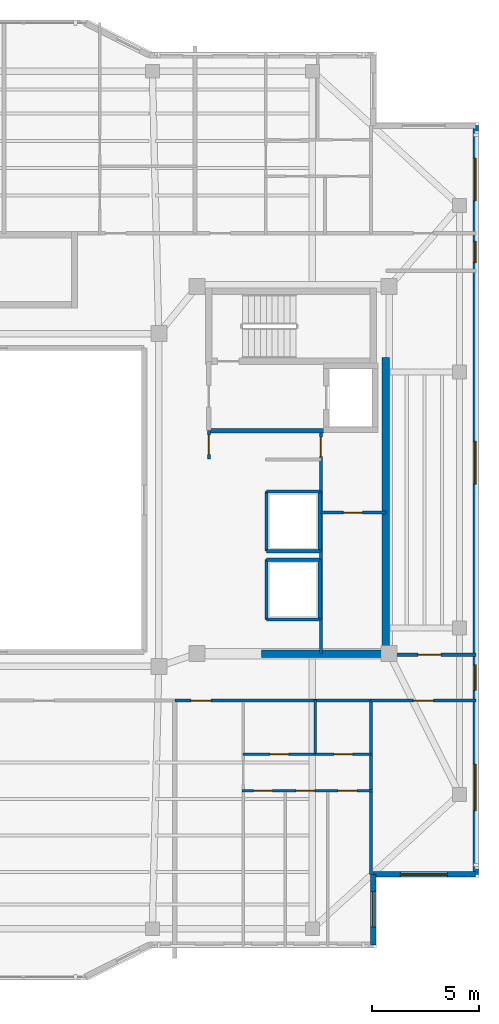
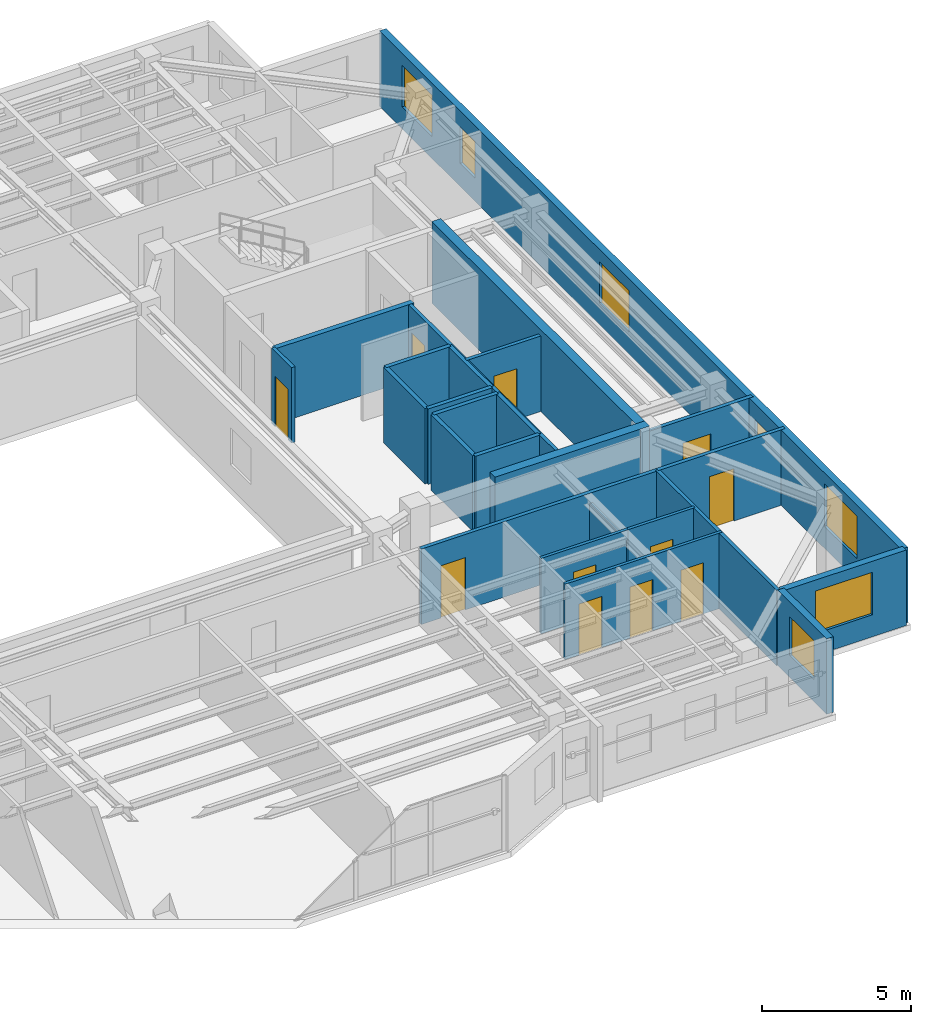
# One storey, part 8 of 14: 25 walls, 11 doors, 7 windows, 18 openings.
"""IFC4 building model written with IfcOpenShell, lengths in metres."""

from ifc_helpers import new_model, si_unit, direction, frame, frame_2d, origin, place, context, subcontext, project, spatial, rectangle, extrude, material, layer, layer_set, type_object, element, fill, save


model = new_model("IFC4")

# Units and contexts
model_context = context("Model", 3, precision=1e-05, world=origin(), true_north=direction((0.0, 1.0)))
body_context = subcontext(model_context, "Body", "Model", "MODEL_VIEW")
ifc_project = project(units=[si_unit("LENGTHUNIT", "METRE"), si_unit("AREAUNIT", "SQUARE_METRE"), si_unit("VOLUMEUNIT", "CUBIC_METRE"), si_unit("PLANEANGLEUNIT", "RADIAN"), si_unit("MASSUNIT", "GRAM", prefix="KILO")], contexts=[model_context])

# Site, building, storey
site_placement = place(None, origin())
site = spatial("IfcSite", under=ifc_project, at=site_placement, CompositionType="ELEMENT")
building_placement = place(site_placement, origin())
building = spatial("IfcBuilding", under=site, at=building_placement, Name="Tarnavaz Court Tower", CompositionType="ELEMENT")
storey_placement = place(building_placement, frame((0.0, 0.0, 258.25)))
storey = spatial("IfcBuildingStorey", under=building, at=storey_placement, Name="L70", CompositionType="ELEMENT", Elevation=258.25)

# Walls
ifc_material_1 = material(Name="Concrete C50/60", Category="concrete")
ifc_layer_1 = layer(ifc_material_1, 0.35009765625)
ifc_layer_set_1 = layer_set([ifc_layer_1], Name="Concrete C50/60")
wall_type_1 = type_object("IfcWallType", Name="WL-CORE-350-C50", PredefinedType="SHEAR", material=ifc_layer_set_1)
wall_1_placement = place(storey_placement, frame((18.449951171875, -7.375, 0.0), z_axis=(0.0, 0.0, 1.0), x_axis=(0.0, 1.0, 0.0)))
element("IfcWall", 1, at=wall_1_placement, inside=storey, type_object=wall_type_1, Name="L70 East Core Shear Wall 047", PredefinedType="SHEAR", context=body_context, shape_type="SweptSolid", body=[
    extrude(rectangle(XDim=14.050048828125, YDim=0.35009765625, at=frame_2d((7.02490234375, 0.0))), origin(), (0.0, 0.0, 1.0), 3.35009765625),
])
wall_2_placement = place(storey_placement, frame((12.625, -7.199951171875, 0.0), z_axis=(0.0, 0.0, 1.0), x_axis=(1.0, 0.0, 0.0)))
element("IfcWall", 2, at=wall_2_placement, inside=storey, type_object=wall_type_1, Name="L70 East Core South Shear Wall 048", PredefinedType="SHEAR", context=body_context, shape_type="SweptSolid", body=[
    extrude(rectangle(XDim=6.0, YDim=0.35009765625, at=frame_2d((3.0, 0.0))), origin(), (0.0, 0.0, 1.0), 3.35009765625),
])

# Wall, openings, windows
ifc_material_2 = material(Name="Precast Concrete C40/50", Category="concrete")
ifc_layer_2 = layer(ifc_material_2, 0.260009765625)
ifc_layer_set_2 = layer_set([ifc_layer_2], Name="Precast Concrete C40/50")
wall_type_2 = type_object("IfcWallType", Name="WL-EXT-260", PredefinedType="SOLIDWALL", material=ifc_layer_set_2)
wall_3_placement = place(storey_placement, frame((22.64990234375, 17.550048828125, 0.0), z_axis=(0.0, 0.0, 1.0), x_axis=(0.0, -1.0, 0.0)))
wall_3 = element("IfcWall", 3, at=wall_3_placement, inside=storey, type_object=wall_type_2, Name="L70 Exterior Terracotta Facade Wall 12", PredefinedType="SOLIDWALL", context=body_context, shape_type="SweptSolid", body=[
    extrude(rectangle(XDim=35.10009765625, YDim=0.260009765625, at=frame_2d((17.550048828125, 0.0))), origin(), (0.0, 0.0, 1.0), 3.10009765625),
])
opening_1_placement = place(wall_3_placement, frame((1.52490234375, 0.0, 0.89990234375)))
opening_1 = element("IfcOpeningElement", 4, at=opening_1_placement, cuts=wall_3, Name="Opening W08", PredefinedType="OPENING", context=body_context, shape_type="SweptSolid", body=[
    extrude(rectangle(XDim=2.0, YDim=1.699951171875, at=frame_2d((1.0, 0.85009765625))), frame((0.0, 0.139892578125, 0.0), z_axis=(0.0, -1.0, 0.0), x_axis=(1.0, 0.0, 0.0)), (0.0, 0.0, 1.0), 0.280029296875),
])
opening_2_placement = place(wall_3_placement, frame((5.425048828125, 0.0, 0.949951171875)))
opening_2 = element("IfcOpeningElement", 5, at=opening_2_placement, cuts=wall_3, Name="Opening W14", PredefinedType="OPENING", context=body_context, shape_type="SweptSolid", body=[
    extrude(rectangle(XDim=1.0, YDim=1.5, at=frame_2d((0.5, 0.75))), frame((0.0, 0.139892578125, 0.0), z_axis=(0.0, -1.0, 0.0), x_axis=(1.0, 0.0, 0.0)), (0.0, 0.0, 1.0), 0.280029296875),
])
opening_3_placement = place(wall_3_placement, frame((14.800048828125, 0.0, 0.89990234375)))
opening_3 = element("IfcOpeningElement", 6, at=opening_3_placement, cuts=wall_3, Name="Opening W08", PredefinedType="OPENING", context=body_context, shape_type="SweptSolid", body=[
    extrude(rectangle(XDim=2.0, YDim=1.699951171875, at=frame_2d((1.0, 0.85009765625))), frame((0.0, 0.139892578125, 0.0), z_axis=(0.0, -1.0, 0.0), x_axis=(1.0, 0.0, 0.0)), (0.0, 0.0, 1.0), 0.280029296875),
])
opening_4_placement = place(wall_3_placement, frame((25.27490234375, 0.0, 0.949951171875)))
opening_4 = element("IfcOpeningElement", 7, at=opening_4_placement, cuts=wall_3, Name="Opening W05", PredefinedType="OPENING", context=body_context, shape_type="SweptSolid", body=[
    extrude(rectangle(XDim=1.199951171875, YDim=1.5, at=frame_2d((0.60009765625, 0.75))), frame((0.0, 0.139892578125, 0.0), z_axis=(0.0, -1.0, 0.0), x_axis=(1.0, 0.0, 0.0)), (0.0, 0.0, 1.0), 0.280029296875),
])
opening_5_placement = place(wall_3_placement, frame((29.925048828125, 0.0, 0.89990234375)))
opening_5 = element("IfcOpeningElement", 8, at=opening_5_placement, cuts=wall_3, Name="Opening W07", PredefinedType="OPENING", context=body_context, shape_type="SweptSolid", body=[
    extrude(rectangle(XDim=2.199951171875, YDim=1.75, at=frame_2d((1.10009765625, 0.875))), frame((0.0, 0.139892578125, 0.0), z_axis=(0.0, -1.0, 0.0), x_axis=(1.0, 0.0, 0.0)), (0.0, 0.0, 1.0), 0.280029296875),
])
ifc_material_3 = material(Name="Double-Glazed Solar Low-E Glass", Category="glass")
window_type_1 = type_object("IfcWindowType", Name="WN-APT-1000", PartitioningType="SINGLE_PANEL", PredefinedType="WINDOW", material=ifc_material_3)
window_1_placement = place(opening_2_placement, origin())
window_1 = element("IfcWindow", 9, at=window_1_placement, inside=storey, type_object=window_type_1, Name="L70 North-East Corner Corridor Window", OverallHeight=1.5, OverallWidth=1.0, PartitioningType="SINGLE_PANEL", PredefinedType="WINDOW", context=body_context, shape_type="SweptSolid", body=[
    extrude(rectangle(XDim=1.0, YDim=1.5, at=frame_2d((0.5, 0.75))), frame((0.0, 0.030029296875, 0.0), z_axis=(0.0, -1.0, 0.0), x_axis=(1.0, 0.0, 0.0)), (0.0, 0.0, 1.0), 0.06005859375),
])
fill(opening_2, window_1)
window_type_2 = type_object("IfcWindowType", Name="WN-APT-1200", PartitioningType="SINGLE_PANEL", PredefinedType="WINDOW", material=ifc_material_3)
window_2_placement = place(opening_4_placement, origin())
window_2 = element("IfcWindow", 10, at=window_2_placement, inside=storey, type_object=window_type_2, Name="L70 South-East Corner Corridor Window", OverallHeight=1.5, OverallWidth=1.199951171875, PartitioningType="SINGLE_PANEL", PredefinedType="WINDOW", context=body_context, shape_type="SweptSolid", body=[
    extrude(rectangle(XDim=1.199951171875, YDim=1.5, at=frame_2d((0.60009765625, 0.75))), frame((0.0, 0.030029296875, 0.0), z_axis=(0.0, -1.0, 0.0), x_axis=(1.0, 0.0, 0.0)), (0.0, 0.0, 1.0), 0.06005859375),
])
fill(opening_4, window_2)
window_type_3 = type_object("IfcWindowType", Name="WN-APT-2000", PartitioningType="DOUBLE_PANEL_VERTICAL", PredefinedType="WINDOW", material=ifc_material_3)
window_3_placement = place(opening_1_placement, origin())
window_3 = element("IfcWindow", 11, at=window_3_placement, inside=storey, type_object=window_type_3, Name="L70 North-East Corner Sunroom Study Window", OverallHeight=1.699951171875, OverallWidth=2.0, PartitioningType="SINGLE_PANEL", PredefinedType="WINDOW", context=body_context, shape_type="SweptSolid", body=[
    extrude(rectangle(XDim=2.0, YDim=1.699951171875, at=frame_2d((1.0, 0.85009765625))), frame((0.0, 0.030029296875, 0.0), z_axis=(0.0, -1.0, 0.0), x_axis=(1.0, 0.0, 0.0)), (0.0, 0.0, 1.0), 0.06005859375),
])
fill(opening_1, window_3)
window_4_placement = place(opening_3_placement, origin())
window_4 = element("IfcWindow", 12, at=window_4_placement, inside=storey, type_object=window_type_3, Name="L70 East Wing Daycare Playroom Window", OverallHeight=1.699951171875, OverallWidth=2.0, PartitioningType="SINGLE_PANEL", PredefinedType="WINDOW", context=body_context, shape_type="SweptSolid", body=[
    extrude(rectangle(XDim=2.0, YDim=1.699951171875, at=frame_2d((1.0, 0.85009765625))), frame((0.0, 0.030029296875, 0.0), z_axis=(0.0, -1.0, 0.0), x_axis=(1.0, 0.0, 0.0)), (0.0, 0.0, 1.0), 0.06005859375),
])
fill(opening_3, window_4)
window_type_4 = type_object("IfcWindowType", Name="WN-APT-2200", PartitioningType="TRIPLE_PANEL_VERTICAL", PredefinedType="WINDOW", material=ifc_material_3)
window_5_placement = place(opening_5_placement, origin())
window_5 = element("IfcWindow", 13, at=window_5_placement, inside=storey, type_object=window_type_4, Name="L70 South-East Corner Reading Room Window", OverallHeight=1.75, OverallWidth=2.199951171875, PartitioningType="SINGLE_PANEL", PredefinedType="WINDOW", context=body_context, shape_type="SweptSolid", body=[
    extrude(rectangle(XDim=2.199951171875, YDim=1.75, at=frame_2d((1.10009765625, 0.875))), frame((0.0, 0.030029296875, 0.0), z_axis=(0.0, -1.0, 0.0), x_axis=(1.0, 0.0, 0.0)), (0.0, 0.0, 1.0), 0.06005859375),
])
fill(opening_5, window_5)

# Wall, opening, window
wall_4_placement = place(storey_placement, frame((22.64990234375, -17.550048828125, 0.0), z_axis=(0.0, 0.0, 1.0), x_axis=(-1.0, 0.0, 0.0)))
wall_4 = element("IfcWall", 14, at=wall_4_placement, inside=storey, type_object=wall_type_2, Name="L70 Exterior Terracotta Facade Wall 13", PredefinedType="SOLIDWALL", context=body_context, shape_type="SweptSolid", body=[
    extrude(rectangle(XDim=4.7998046875, YDim=0.260009765625, at=frame_2d((2.39990234375, 0.0))), origin(), (0.0, 0.0, 1.0), 3.10009765625),
])
opening_6_placement = place(wall_4_placement, frame((1.3251953125, 0.0, 0.89990234375)))
opening_6 = element("IfcOpeningElement", 15, at=opening_6_placement, cuts=wall_4, Name="Opening W07", PredefinedType="OPENING", context=body_context, shape_type="SweptSolid", body=[
    extrude(rectangle(XDim=2.199951171875, YDim=1.75, at=frame_2d((1.10009765625, 0.875))), frame((0.0, 0.139892578125, 0.0), z_axis=(0.0, -1.0, 0.0), x_axis=(1.0, 0.0, 0.0)), (0.0, 0.0, 1.0), 0.280029296875),
])
window_6_placement = place(opening_6_placement, origin())
window_6 = element("IfcWindow", 16, at=window_6_placement, inside=storey, type_object=window_type_4, Name="L70 South-East Corner Reading Room Window", OverallHeight=1.75, OverallWidth=2.199951171875, PartitioningType="SINGLE_PANEL", PredefinedType="WINDOW", context=body_context, shape_type="SweptSolid", body=[
    extrude(rectangle(XDim=2.199951171875, YDim=1.75, at=frame_2d((1.10009765625, 0.875))), frame((0.0, 0.030029296875, 0.0), z_axis=(0.0, -1.0, 0.0), x_axis=(1.0, 0.0, 0.0)), (0.0, 0.0, 1.0), 0.06005859375),
])
fill(opening_6, window_6)

wall_5_placement = place(storey_placement, frame((17.85009765625, -17.550048828125, 0.0), z_axis=(0.0, 0.0, 1.0), x_axis=(0.0, -1.0, 0.0)))
wall_5 = element("IfcWall", 17, at=wall_5_placement, inside=storey, type_object=wall_type_2, Name="L70 Exterior Terracotta Facade Wall 14", PredefinedType="SOLIDWALL", context=body_context, shape_type="SweptSolid", body=[
    extrude(rectangle(XDim=3.300048828125, YDim=0.260009765625, at=frame_2d((1.64990234375, 0.0))), origin(), (0.0, 0.0, 1.0), 3.10009765625),
])
opening_7_placement = place(wall_5_placement, frame((0.8076171875, 0.0, 0.89990234375)))
opening_7 = element("IfcOpeningElement", 18, at=opening_7_placement, cuts=wall_5, Name="Opening W02", PredefinedType="OPENING", context=body_context, shape_type="SweptSolid", body=[
    extrude(rectangle(XDim=1.64990234375, YDim=1.60009765625, at=frame_2d((0.824951171875, 0.800048828125))), frame((0.0, 0.139892578125, 0.0), z_axis=(0.0, -1.0, 0.0), x_axis=(1.0, 0.0, 0.0)), (0.0, 0.0, 1.0), 0.280029296875),
])
window_type_5 = type_object("IfcWindowType", Name="WN-APT-1650", PartitioningType="DOUBLE_PANEL_VERTICAL", PredefinedType="WINDOW", material=ifc_material_3)
window_7_placement = place(opening_7_placement, origin())
window_7 = element("IfcWindow", 19, at=window_7_placement, inside=storey, type_object=window_type_5, Name="L70 Flat 05 Bedroom 3 Window", OverallHeight=1.60009765625, OverallWidth=1.64990234375, PartitioningType="SINGLE_PANEL", PredefinedType="WINDOW", context=body_context, shape_type="SweptSolid", body=[
    extrude(rectangle(XDim=1.64990234375, YDim=1.60009765625, at=frame_2d((0.824951171875, 0.800048828125))), frame((0.0, 0.030029296875, 0.0), z_axis=(0.0, -1.0, 0.0), x_axis=(1.0, 0.0, 0.0)), (0.0, 0.0, 1.0), 0.06005859375),
])
fill(opening_7, window_7)

# Wall, opening, door
ifc_material_4 = material(Name="Gypsum Fire-Board on Acoustic Metal Stud", Category="masonry")
ifc_layer_3 = layer(ifc_material_4, 0.14990234375)
ifc_layer_set_3 = layer_set([ifc_layer_3], Name="Gypsum Fire-Board on Acoustic Metal Stud")
wall_type_3 = type_object("IfcWallType", Name="WL-FIRE-150", PredefinedType="PARTITIONING", material=ifc_layer_set_3)
wall_6_placement = place(storey_placement, frame((8.550048828125, -9.39990234375, 0.0), z_axis=(0.0, 0.0, 1.0), x_axis=(1.0, 0.0, 0.0)))
wall_6 = element("IfcWall", 20, at=wall_6_placement, inside=storey, type_object=wall_type_3, Name="L70 SE Lobby Wall 060", PredefinedType="PARTITIONING", context=body_context, shape_type="SweptSolid", body=[
    extrude(rectangle(XDim=9.199951171875, YDim=0.14990234375, at=frame_2d((4.60009765625, 0.0))), origin(), (0.0, 0.0, 1.0), 3.10009765625),
])
opening_8_placement = place(wall_6_placement, frame((0.75, 0.0, 0.0)))
opening_8 = element("IfcOpeningElement", 21, at=opening_8_placement, cuts=wall_6, Name="Opening D06", PredefinedType="OPENING", context=body_context, shape_type="SweptSolid", body=[
    extrude(rectangle(XDim=0.9599609375, YDim=2.14990234375, at=frame_2d((0.47998046875, 1.074951171875))), frame((0.0, 0.0849609375, 0.0), z_axis=(0.0, -1.0, 0.0), x_axis=(1.0, 0.0, 0.0)), (0.0, 0.0, 1.0), 0.169921875),
])
ifc_material_5 = material(Name="Fire-Rated Hardwood Timber Core", Category="wood")
door_type_1 = type_object("IfcDoorType", Name="DR-FD60-950", OperationType="NOTDEFINED", PredefinedType="DOOR", material=ifc_material_5)
door_1_placement = place(opening_8_placement, origin())
door_1 = element("IfcDoor", 22, at=door_1_placement, inside=storey, type_object=door_type_1, Name="L70 Flat 05 Entrance Door", OperationType="SINGLE_SWING_RIGHT", OverallHeight=2.14990234375, OverallWidth=0.9599609375, PredefinedType="DOOR", context=body_context, shape_type="SweptSolid", body=[
    extrude(rectangle(XDim=0.9599609375, YDim=2.14990234375, at=frame_2d((0.47998046875, 1.074951171875))), frame((0.0, 0.02490234375, 0.0), z_axis=(0.0, -1.0, 0.0), x_axis=(1.0, 0.0, 0.0)), (0.0, 0.0, 1.0), 0.050048828125),
])
fill(opening_8, door_1)

wall_7_placement = place(storey_placement, frame((18.449951171875, -7.25, 0.0), z_axis=(0.0, 0.0, 1.0), x_axis=(1.0, 0.0, 0.0)))
wall_7 = element("IfcWall", 23, at=wall_7_placement, inside=storey, type_object=wall_type_3, Name="L70 Interior Partition 095", PredefinedType="PARTITIONING", context=body_context, shape_type="SweptSolid", body=[
    extrude(rectangle(XDim=4.22998046875, YDim=0.14990234375, at=frame_2d((2.114990234375, 0.0))), origin(), (0.0, 0.0, 1.0), 3.10009765625),
])
opening_9_placement = place(wall_7_placement, frame((1.5, 0.0, 0.0)))
opening_9 = element("IfcOpeningElement", 24, at=opening_9_placement, cuts=wall_7, Name="Opening D12", PredefinedType="OPENING", context=body_context, shape_type="SweptSolid", body=[
    extrude(rectangle(XDim=1.080078125, YDim=2.14990234375, at=frame_2d((0.5400390625, 1.074951171875))), frame((0.0, 0.0849609375, 0.0), z_axis=(0.0, -1.0, 0.0), x_axis=(1.0, 0.0, 0.0)), (0.0, 0.0, 1.0), 0.169921875),
])
ifc_material_6 = material(Name="Engineered Oak Timber", Category="wood")
door_type_2 = type_object("IfcDoorType", Name="DR-INT-1100", OperationType="NOTDEFINED", PredefinedType="DOOR", material=ifc_material_6)
door_2_placement = place(opening_9_placement, origin())
door_2 = element("IfcDoor", 25, at=door_2_placement, inside=storey, type_object=door_type_2, Name="L70 East Daycare Playroom Door", OperationType="SINGLE_SWING_RIGHT", OverallHeight=2.14990234375, OverallWidth=1.080078125, PredefinedType="DOOR", context=body_context, shape_type="SweptSolid", body=[
    extrude(rectangle(XDim=1.080078125, YDim=2.14990234375, at=frame_2d((0.5400390625, 1.074951171875))), frame((0.0, 0.02490234375, 0.0), z_axis=(0.0, -1.0, 0.0), x_axis=(1.0, 0.0, 0.0)), (0.0, 0.0, 1.0), 0.050048828125),
])
fill(opening_9, door_2)

wall_8_placement = place(storey_placement, frame((17.75, -9.39990234375, 0.0), z_axis=(0.0, 0.0, 1.0), x_axis=(1.0, 0.0, 0.0)))
wall_8 = element("IfcWall", 26, at=wall_8_placement, inside=storey, type_object=wall_type_3, Name="L70 Interior Partition 104", PredefinedType="PARTITIONING", context=body_context, shape_type="SweptSolid", body=[
    extrude(rectangle(XDim=4.929931640625, YDim=0.14990234375, at=frame_2d((2.46484375, 0.0))), origin(), (0.0, 0.0, 1.0), 3.10009765625),
])
opening_10_placement = place(wall_8_placement, frame((1.989990234375, 0.0, 0.0)))
opening_10 = element("IfcOpeningElement", 27, at=opening_10_placement, cuts=wall_8, Name="Opening D13", PredefinedType="OPENING", context=body_context, shape_type="SweptSolid", body=[
    extrude(rectangle(XDim=0.949951171875, YDim=2.14990234375, at=frame_2d((0.47509765625, 1.074951171875))), frame((0.0, 0.0849609375, 0.0), z_axis=(0.0, -1.0, 0.0), x_axis=(1.0, 0.0, 0.0)), (0.0, 0.0, 1.0), 0.169921875),
])
door_type_3 = type_object("IfcDoorType", Name="DR-INT-950", OperationType="NOTDEFINED", PredefinedType="DOOR", material=ifc_material_6)
door_3_placement = place(opening_10_placement, origin())
door_3 = element("IfcDoor", 28, at=door_3_placement, inside=storey, type_object=door_type_3, Name="L70 SE Reading Room Door", OperationType="SINGLE_SWING_RIGHT", OverallHeight=2.14990234375, OverallWidth=0.949951171875, PredefinedType="DOOR", context=body_context, shape_type="SweptSolid", body=[
    extrude(rectangle(XDim=0.949951171875, YDim=2.14990234375, at=frame_2d((0.47509765625, 1.074951171875))), frame((0.0, 0.02490234375, 0.0), z_axis=(0.0, -1.0, 0.0), x_axis=(1.0, 0.0, 0.0)), (0.0, 0.0, 1.0), 0.050048828125),
])
fill(opening_10, door_3)

# Wall
ifc_material_7 = material(Name="Autoclaved Aerated Concrete Blockwork", Category="masonry")
ifc_layer_4 = layer(ifc_material_7, 0.199951171875)
ifc_layer_set_4 = layer_set([ifc_layer_4], Name="Autoclaved Aerated Concrete Blockwork")
wall_type_4 = type_object("IfcWallType", Name="WL-FIRE-200", PredefinedType="SOLIDWALL", material=ifc_layer_set_4)
wall_9_placement = place(storey_placement, frame((10.14990234375, 3.25, 0.0), z_axis=(0.0, 0.0, 1.0), x_axis=(1.0, 0.0, 0.0)))
element("IfcWall", 29, at=wall_9_placement, inside=storey, type_object=wall_type_4, Name="L70 East Firefighting Lobby Wall 015", PredefinedType="SOLIDWALL", context=body_context, shape_type="SweptSolid", body=[
    extrude(rectangle(XDim=5.400146484375, YDim=0.199951171875, at=frame_2d((2.7001953125, 0.0))), origin(), (0.0, 0.0, 1.0), 3.10009765625),
])

# Wall, opening, door
ifc_material_8 = material(Name="Moisture-Resistant Gypsum Board Partition", Category="masonry")
ifc_layer_5 = layer(ifc_material_8, 0.1201171875)
ifc_layer_set_5 = layer_set([ifc_layer_5], Name="Moisture-Resistant Gypsum Board Partition")
wall_type_5 = type_object("IfcWallType", Name="WL-PART-120", PredefinedType="PARTITIONING", material=ifc_layer_set_5)
wall_10_placement = place(storey_placement, frame((11.760009765625, -11.909912109375, 0.0), z_axis=(0.0, 0.0, 1.0), x_axis=(1.0, 0.0, 0.0)))
wall_10 = element("IfcWall", 30, at=wall_10_placement, inside=storey, type_object=wall_type_5, Name="L70 Interior Partition 083", PredefinedType="PARTITIONING", context=body_context, shape_type="SweptSolid", body=[
    extrude(rectangle(XDim=3.3798828125, YDim=0.1201171875, at=frame_2d((1.68994140625, 0.0))), origin(), (0.0, 0.0, 1.0), 3.10009765625),
])
opening_11_placement = place(wall_10_placement, frame((1.25, 0.0, 0.0)))
opening_11 = element("IfcOpeningElement", 31, at=opening_11_placement, cuts=wall_10, Name="Opening D14", PredefinedType="OPENING", context=body_context, shape_type="SweptSolid", body=[
    extrude(rectangle(XDim=0.8798828125, YDim=2.10009765625, at=frame_2d((0.43994140625, 1.050048828125))), frame((0.0, 0.070068359375, 0.0), z_axis=(0.0, -1.0, 0.0), x_axis=(1.0, 0.0, 0.0)), (0.0, 0.0, 1.0), 0.14013671875),
])
door_type_4 = type_object("IfcDoorType", Name="DR-INT-900", OperationType="NOTDEFINED", PredefinedType="DOOR", material=ifc_material_6)
door_4_placement = place(opening_11_placement, origin())
door_4 = element("IfcDoor", 32, at=door_4_placement, inside=storey, type_object=door_type_4, Name="L70 Flat 05 Kitchen Door", OperationType="SINGLE_SWING_RIGHT", OverallHeight=2.10009765625, OverallWidth=0.8798828125, PredefinedType="DOOR", context=body_context, shape_type="SweptSolid", body=[
    extrude(rectangle(XDim=0.8798828125, YDim=2.10009765625, at=frame_2d((0.43994140625, 1.050048828125))), frame((0.0, 0.02490234375, 0.0), z_axis=(0.0, -1.0, 0.0), x_axis=(1.0, 0.0, 0.0)), (0.0, 0.0, 1.0), 0.050048828125),
])
fill(opening_11, door_4)

wall_11_placement = place(storey_placement, frame((15.139892578125, -11.909912109375, 0.0), z_axis=(0.0, 0.0, 1.0), x_axis=(1.0, 0.0, 0.0)))
wall_11 = element("IfcWall", 33, at=wall_11_placement, inside=storey, type_object=wall_type_5, Name="L70 Interior Partition 084", PredefinedType="PARTITIONING", context=body_context, shape_type="SweptSolid", body=[
    extrude(rectangle(XDim=2.610107421875, YDim=0.1201171875, at=frame_2d((1.30517578125, 0.0))), origin(), (0.0, 0.0, 1.0), 3.10009765625),
])
opening_12_placement = place(wall_11_placement, frame((0.864990234375, 0.0, 0.0)))
opening_12 = element("IfcOpeningElement", 34, at=opening_12_placement, cuts=wall_11, Name="Opening D14", PredefinedType="OPENING", context=body_context, shape_type="SweptSolid", body=[
    extrude(rectangle(XDim=0.8798828125, YDim=2.10009765625, at=frame_2d((0.43994140625, 1.050048828125))), frame((0.0, 0.070068359375, 0.0), z_axis=(0.0, -1.0, 0.0), x_axis=(1.0, 0.0, 0.0)), (0.0, 0.0, 1.0), 0.14013671875),
])
door_5_placement = place(opening_12_placement, origin())
door_5 = element("IfcDoor", 35, at=door_5_placement, inside=storey, type_object=door_type_4, Name="L70 Flat 05 Bathroom Door", OperationType="SINGLE_SWING_LEFT", OverallHeight=2.10009765625, OverallWidth=0.8798828125, PredefinedType="DOOR", context=body_context, shape_type="SweptSolid", body=[
    extrude(rectangle(XDim=0.8798828125, YDim=2.10009765625, at=frame_2d((0.43994140625, 1.050048828125))), frame((0.0, 0.02490234375, 0.0), z_axis=(0.0, -1.0, 0.0), x_axis=(1.0, 0.0, 0.0)), (0.0, 0.0, 1.0), 0.050048828125),
])
fill(opening_12, door_5)

# Wall, openings, doors
wall_12_placement = place(storey_placement, frame((11.699951171875, -13.6201171875, 0.0), z_axis=(0.0, 0.0, 1.0), x_axis=(1.0, 0.0, 0.0)))
wall_12 = element("IfcWall", 36, at=wall_12_placement, inside=storey, type_object=wall_type_5, Name="L70 Interior Partition 085", PredefinedType="PARTITIONING", context=body_context, shape_type="SweptSolid", body=[
    extrude(rectangle(XDim=6.110107421875, YDim=0.1201171875, at=frame_2d((3.05517578125, 0.0))), origin(), (0.0, 0.0, 1.0), 3.10009765625),
])
opening_13_placement = place(wall_12_placement, frame((0.548095703125, 0.0, 0.0)))
opening_13 = element("IfcOpeningElement", 37, at=opening_13_placement, cuts=wall_12, Name="Opening D14", PredefinedType="OPENING", context=body_context, shape_type="SweptSolid", body=[
    extrude(rectangle(XDim=0.8798828125, YDim=2.10009765625, at=frame_2d((0.43994140625, 1.050048828125))), frame((0.0, 0.070068359375, 0.0), z_axis=(0.0, -1.0, 0.0), x_axis=(1.0, 0.0, 0.0)), (0.0, 0.0, 1.0), 0.14013671875),
])
opening_14_placement = place(wall_12_placement, frame((2.52490234375, 0.0, 0.0)))
opening_14 = element("IfcOpeningElement", 38, at=opening_14_placement, cuts=wall_12, Name="Opening D14", PredefinedType="OPENING", context=body_context, shape_type="SweptSolid", body=[
    extrude(rectangle(XDim=0.8798828125, YDim=2.10009765625, at=frame_2d((0.43994140625, 1.050048828125))), frame((0.0, 0.070068359375, 0.0), z_axis=(0.0, -1.0, 0.0), x_axis=(1.0, 0.0, 0.0)), (0.0, 0.0, 1.0), 0.14013671875),
])
opening_15_placement = place(wall_12_placement, frame((4.501953125, 0.0, 0.0)))
opening_15 = element("IfcOpeningElement", 39, at=opening_15_placement, cuts=wall_12, Name="Opening D14", PredefinedType="OPENING", context=body_context, shape_type="SweptSolid", body=[
    extrude(rectangle(XDim=0.8798828125, YDim=2.10009765625, at=frame_2d((0.43994140625, 1.050048828125))), frame((0.0, 0.070068359375, 0.0), z_axis=(0.0, -1.0, 0.0), x_axis=(1.0, 0.0, 0.0)), (0.0, 0.0, 1.0), 0.14013671875),
])
door_6_placement = place(opening_13_placement, origin())
door_6 = element("IfcDoor", 40, at=door_6_placement, inside=storey, type_object=door_type_4, Name="L70 Flat 05 Bedroom 1 Door", OperationType="SINGLE_SWING_RIGHT", OverallHeight=2.10009765625, OverallWidth=0.8798828125, PredefinedType="DOOR", context=body_context, shape_type="SweptSolid", body=[
    extrude(rectangle(XDim=0.8798828125, YDim=2.10009765625, at=frame_2d((0.43994140625, 1.050048828125))), frame((0.0, 0.02490234375, 0.0), z_axis=(0.0, -1.0, 0.0), x_axis=(1.0, 0.0, 0.0)), (0.0, 0.0, 1.0), 0.050048828125),
])
fill(opening_13, door_6)
door_7_placement = place(opening_14_placement, origin())
door_7 = element("IfcDoor", 41, at=door_7_placement, inside=storey, type_object=door_type_4, Name="L70 Flat 05 Bedroom 2 Door", OperationType="SINGLE_SWING_LEFT", OverallHeight=2.10009765625, OverallWidth=0.8798828125, PredefinedType="DOOR", context=body_context, shape_type="SweptSolid", body=[
    extrude(rectangle(XDim=0.8798828125, YDim=2.10009765625, at=frame_2d((0.43994140625, 1.050048828125))), frame((0.0, 0.02490234375, 0.0), z_axis=(0.0, -1.0, 0.0), x_axis=(1.0, 0.0, 0.0)), (0.0, 0.0, 1.0), 0.050048828125),
])
fill(opening_14, door_7)
door_8_placement = place(opening_15_placement, origin())
door_8 = element("IfcDoor", 42, at=door_8_placement, inside=storey, type_object=door_type_4, Name="L70 Flat 05 Bedroom 3 Door", OperationType="SINGLE_SWING_RIGHT", OverallHeight=2.10009765625, OverallWidth=0.8798828125, PredefinedType="DOOR", context=body_context, shape_type="SweptSolid", body=[
    extrude(rectangle(XDim=0.8798828125, YDim=2.10009765625, at=frame_2d((0.43994140625, 1.050048828125))), frame((0.0, 0.02490234375, 0.0), z_axis=(0.0, -1.0, 0.0), x_axis=(1.0, 0.0, 0.0)), (0.0, 0.0, 1.0), 0.050048828125),
])
fill(opening_15, door_8)

# Wall
wall_13_placement = place(storey_placement, frame((15.139892578125, -11.969970703125, 0.0), z_axis=(0.0, 0.0, 1.0), x_axis=(0.0, 1.0, 0.0)))
element("IfcWall", 43, at=wall_13_placement, inside=storey, type_object=wall_type_5, Name="L70 Interior Partition 086", PredefinedType="PARTITIONING", context=body_context, shape_type="SweptSolid", body=[
    extrude(rectangle(XDim=2.6298828125, YDim=0.1201171875, at=frame_2d((1.31494140625, 0.0))), origin(), (0.0, 0.0, 1.0), 2.68505859375),
])

# Wall, opening, door
ifc_material_9 = material(Name="Gypsum Plasterboard Acoustic Partition", Category="masonry")
ifc_layer_6 = layer(ifc_material_9, 0.139892578125)
ifc_layer_set_6 = layer_set([ifc_layer_6], Name="Gypsum Plasterboard Acoustic Partition")
wall_type_6 = type_object("IfcWallType", Name="WL-PART-150", PredefinedType="PARTITIONING", material=ifc_layer_set_6)
wall_14_placement = place(storey_placement, frame((10.14990234375, 1.919921875, 0.0), z_axis=(0.0, 0.0, 1.0), x_axis=(0.0, 1.0, 0.0)))
wall_14 = element("IfcWall", 44, at=wall_14_placement, inside=storey, type_object=wall_type_6, Name="L70 Interior Partition 054", PredefinedType="PARTITIONING", context=body_context, shape_type="SweptSolid", body=[
    extrude(rectangle(XDim=1.330078125, YDim=0.139892578125, at=frame_2d((0.6650390625, 0.0))), origin(), (0.0, 0.0, 1.0), 3.10009765625),
])
opening_16_placement = place(wall_14_placement, frame((0.219970703125, 0.0, 0.0)))
opening_16 = element("IfcOpeningElement", 45, at=opening_16_placement, cuts=wall_14, Name="Opening D09", PredefinedType="OPENING", context=body_context, shape_type="SweptSolid", body=[
    extrude(rectangle(XDim=0.89990234375, YDim=2.080078125, at=frame_2d((0.449951171875, 1.0400390625))), frame((0.0, 0.079833984375, 0.0), z_axis=(0.0, -1.0, 0.0), x_axis=(1.0, 0.0, 0.0)), (0.0, 0.0, 1.0), 0.159912109375),
])
door_type_5 = type_object("IfcDoorType", Name="DR-FD30-900", OperationType="NOTDEFINED", PredefinedType="DOOR", material=ifc_material_5)
door_9_placement = place(opening_16_placement, origin())
door_9 = element("IfcDoor", 46, at=door_9_placement, inside=storey, type_object=door_type_5, Name="L70 East Core Service Lobby Door", OperationType="SINGLE_SWING_RIGHT", OverallHeight=2.080078125, OverallWidth=0.89990234375, PredefinedType="DOOR", context=body_context, shape_type="SweptSolid", body=[
    extrude(rectangle(XDim=0.89990234375, YDim=2.080078125, at=frame_2d((0.449951171875, 1.0400390625))), frame((0.0, 0.02490234375, 0.0), z_axis=(0.0, -1.0, 0.0), x_axis=(1.0, 0.0, 0.0)), (0.0, 0.0, 1.0), 0.050048828125),
])
fill(opening_16, door_9)

wall_15_placement = place(storey_placement, frame((15.39990234375, -7.199951171875, 0.0), z_axis=(0.0, 0.0, 1.0), x_axis=(0.0, 1.0, 0.0)))
wall_15 = element("IfcWall", 47, at=wall_15_placement, inside=storey, type_object=wall_type_6, Name="L70 Interior Partition 055", PredefinedType="PARTITIONING", context=body_context, shape_type="SweptSolid", body=[
    extrude(rectangle(XDim=10.449951171875, YDim=0.139892578125, at=frame_2d((5.22509765625, 0.0))), origin(), (0.0, 0.0, 1.0), 3.10009765625),
])
opening_17_placement = place(wall_15_placement, frame((9.25, 0.0, 0.0)))
opening_17 = element("IfcOpeningElement", 48, at=opening_17_placement, cuts=wall_15, Name="Opening D09", PredefinedType="OPENING", context=body_context, shape_type="SweptSolid", body=[
    extrude(rectangle(XDim=0.89990234375, YDim=2.080078125, at=frame_2d((0.449951171875, 1.0400390625))), frame((0.0, 0.079833984375, 0.0), z_axis=(0.0, -1.0, 0.0), x_axis=(1.0, 0.0, 0.0)), (0.0, 0.0, 1.0), 0.159912109375),
])
door_10_placement = place(opening_17_placement, origin())
door_10 = element("IfcDoor", 49, at=door_10_placement, inside=storey, type_object=door_type_5, Name="L70 East Wet Riser Door", OperationType="SINGLE_SWING_LEFT", OverallHeight=2.080078125, OverallWidth=0.89990234375, PredefinedType="DOOR", context=body_context, shape_type="SweptSolid", body=[
    extrude(rectangle(XDim=0.89990234375, YDim=2.080078125, at=frame_2d((0.449951171875, 1.0400390625))), frame((0.0, 0.02490234375, 0.0), z_axis=(0.0, -1.0, 0.0), x_axis=(1.0, 0.0, 0.0)), (0.0, 0.0, 1.0), 0.050048828125),
])
fill(opening_17, door_10)

wall_16_placement = place(storey_placement, frame((15.39990234375, -0.590087890625, 0.0), z_axis=(0.0, 0.0, 1.0), x_axis=(1.0, 0.0, 0.0)))
wall_16 = element("IfcWall", 50, at=wall_16_placement, inside=storey, type_object=wall_type_6, Name="L70 Interior Partition 056", PredefinedType="PARTITIONING", context=body_context, shape_type="SweptSolid", body=[
    extrude(rectangle(XDim=3.050048828125, YDim=0.139892578125, at=frame_2d((1.52490234375, 0.0))), origin(), (0.0, 0.0, 1.0), 3.10009765625),
])
opening_18_placement = place(wall_16_placement, frame((1.050048828125, 0.0, 0.0)))
opening_18 = element("IfcOpeningElement", 51, at=opening_18_placement, cuts=wall_16, Name="Opening D09", PredefinedType="OPENING", context=body_context, shape_type="SweptSolid", body=[
    extrude(rectangle(XDim=0.89990234375, YDim=2.080078125, at=frame_2d((0.449951171875, 1.0400390625))), frame((0.0, 0.079833984375, 0.0), z_axis=(0.0, -1.0, 0.0), x_axis=(1.0, 0.0, 0.0)), (0.0, 0.0, 1.0), 0.159912109375),
])
door_11_placement = place(opening_18_placement, origin())
door_11 = element("IfcDoor", 52, at=door_11_placement, inside=storey, type_object=door_type_5, Name="L70 East Electrical Plant Door", OperationType="SINGLE_SWING_RIGHT", OverallHeight=2.080078125, OverallWidth=0.89990234375, PredefinedType="DOOR", context=body_context, shape_type="SweptSolid", body=[
    extrude(rectangle(XDim=0.89990234375, YDim=2.080078125, at=frame_2d((0.449951171875, 1.0400390625))), frame((0.0, 0.02490234375, 0.0), z_axis=(0.0, -1.0, 0.0), x_axis=(1.0, 0.0, 0.0)), (0.0, 0.0, 1.0), 0.050048828125),
])
fill(opening_18, door_11)

# Walls
wall_17_placement = place(storey_placement, frame((17.75, -17.550048828125, 0.0), z_axis=(0.0, 0.0, 1.0), x_axis=(0.0, 1.0, 0.0)))
element("IfcWall", 53, at=wall_17_placement, inside=storey, type_object=wall_type_6, Name="L70 Interior Partition 098", PredefinedType="PARTITIONING", context=body_context, shape_type="SweptSolid", body=[
    extrude(rectangle(XDim=8.150146484375, YDim=0.139892578125, at=frame_2d((4.0751953125, 0.0))), origin(), (0.0, 0.0, 1.0), 3.10009765625),
])
ifc_layer_7 = layer(ifc_material_7, 0.159912109375)
ifc_layer_set_7 = layer_set([ifc_layer_7], Name="Autoclaved Aerated Concrete Blockwork")
wall_type_7 = type_object("IfcWallType", Name="WL-SHAFT-150", PredefinedType="SOLIDWALL", material=ifc_layer_set_7)
for number, where, z_axis, x_axis, name in (
    (54, (12.85009765625, -5.60009765625, 0.0), (0.0, 0.0, 1.0), (0.0, 1.0, 0.0), "L70 Lift PL-OB1 Shaft Wall 037"),
    (55, (15.35009765625, -5.60009765625, 0.0), (0.0, 0.0, 1.0), (0.0, 1.0, 0.0), "L70 Lift PL-OB1 Shaft Wall 038"),
):
    element("IfcWall", number, at=place(storey_placement, frame(where, z_axis=z_axis, x_axis=x_axis)), inside=storey, type_object=wall_type_7, Name=name, PredefinedType="SOLIDWALL", context=body_context, shape_type="SweptSolid", body=[
        extrude(rectangle(XDim=2.800048828125, YDim=0.159912109375, at=frame_2d((1.39990234375, 0.0))), origin(), (0.0, 0.0, 1.0), 3.10009765625),
    ])
for number, where, z_axis, x_axis, name in (
    (56, (12.85009765625, -5.60009765625, 0.0), (0.0, 0.0, 1.0), (1.0, 0.0, 0.0), "L70 Lift PL-OB1 Shaft Wall 039"),
    (57, (12.85009765625, -2.800048828125, 0.0), (0.0, 0.0, 1.0), (1.0, 0.0, 0.0), "L70 Lift PL-OB1 Shaft Wall 040"),
):
    element("IfcWall", number, at=place(storey_placement, frame(where, z_axis=z_axis, x_axis=x_axis)), inside=storey, type_object=wall_type_7, Name=name, PredefinedType="SOLIDWALL", context=body_context, shape_type="SweptSolid", body=[
        extrude(rectangle(XDim=2.5, YDim=0.159912109375, at=frame_2d((1.25, 0.0))), origin(), (0.0, 0.0, 1.0), 3.10009765625),
    ])
for number, where, z_axis, x_axis, name in (
    (58, (12.85009765625, -2.39990234375, 0.0), (0.0, 0.0, 1.0), (0.0, 1.0, 0.0), "L70 Lift PL-OB2 Shaft Wall 041"),
    (59, (15.35009765625, -2.39990234375, 0.0), (0.0, 0.0, 1.0), (0.0, 1.0, 0.0), "L70 Lift PL-OB2 Shaft Wall 042"),
):
    element("IfcWall", number, at=place(storey_placement, frame(where, z_axis=z_axis, x_axis=x_axis)), inside=storey, type_object=wall_type_7, Name=name, PredefinedType="SOLIDWALL", context=body_context, shape_type="SweptSolid", body=[
        extrude(rectangle(XDim=2.7998046875, YDim=0.159912109375, at=frame_2d((1.39990234375, 0.0))), origin(), (0.0, 0.0, 1.0), 3.10009765625),
    ])
for number, where, z_axis, x_axis, name in (
    (60, (12.85009765625, -2.39990234375, 0.0), (0.0, 0.0, 1.0), (1.0, 0.0, 0.0), "L70 Lift PL-OB2 Shaft Wall 043"),
    (61, (12.85009765625, 0.39990234375, 0.0), (0.0, 0.0, 1.0), (1.0, 0.0, 0.0), "L70 Lift PL-OB2 Shaft Wall 044"),
):
    element("IfcWall", number, at=place(storey_placement, frame(where, z_axis=z_axis, x_axis=x_axis)), inside=storey, type_object=wall_type_7, Name=name, PredefinedType="SOLIDWALL", context=body_context, shape_type="SweptSolid", body=[
        extrude(rectangle(XDim=2.5, YDim=0.159912109375, at=frame_2d((1.25, 0.0))), origin(), (0.0, 0.0, 1.0), 3.10009765625),
    ])

save(model, "model.ifc")
